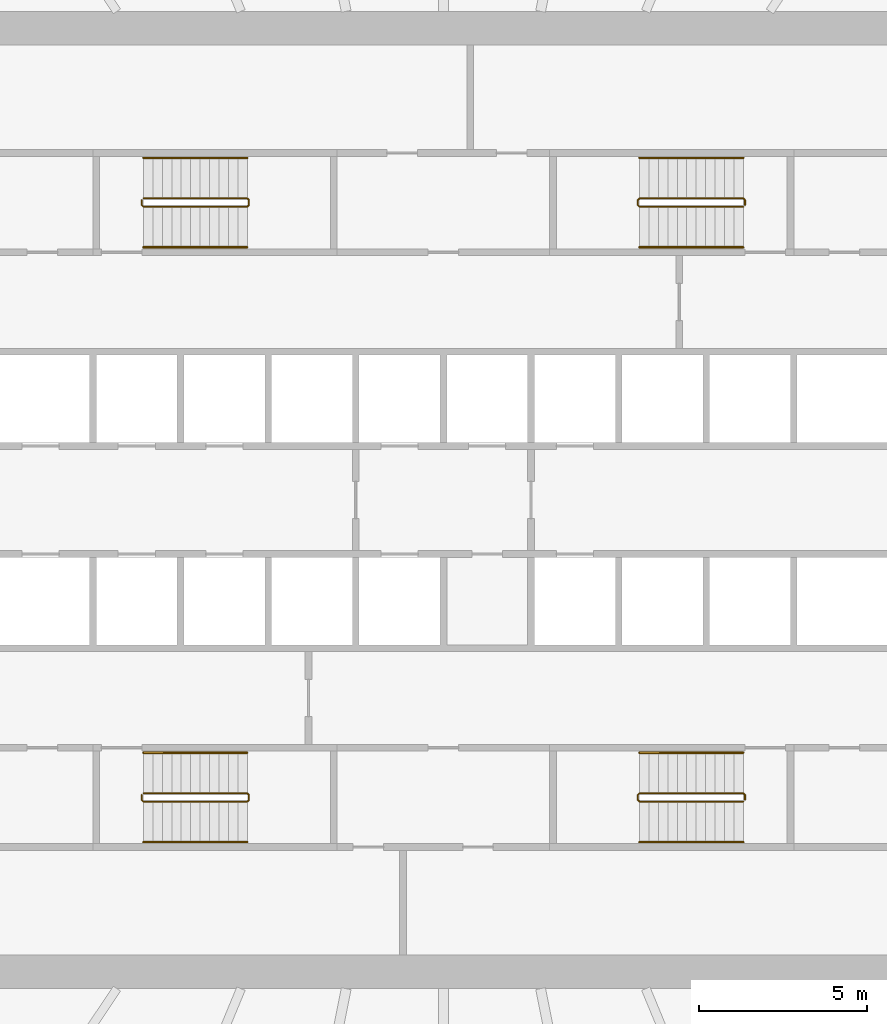
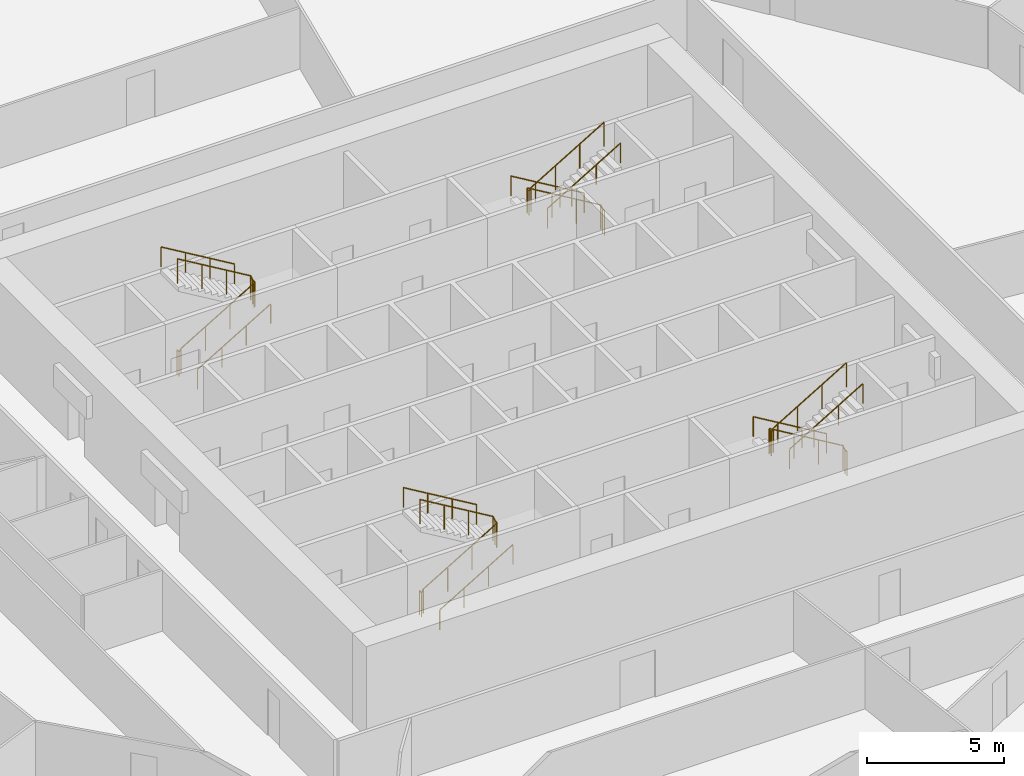
# One storey, part 9 of 9: 12 railings.
"""IFC4 building model written with IfcOpenShell, lengths in metres."""

from ifc_helpers import new_model, si_unit, direction, frame, origin, origin_2d, place, context, subcontext, project, spatial, circle, extrude, material, type_object, element, save


model = new_model("IFC4")

# Units and contexts
model_context = context("Model", 3, precision=1e-05, world=origin(), true_north=direction((0.0, 1.0)))
body_context = subcontext(model_context, "Body", "Model", "MODEL_VIEW")
ifc_project = project(units=[si_unit("LENGTHUNIT", "METRE"), si_unit("AREAUNIT", "SQUARE_METRE"), si_unit("VOLUMEUNIT", "CUBIC_METRE"), si_unit("PLANEANGLEUNIT", "RADIAN"), si_unit("MASSUNIT", "GRAM", prefix="KILO")], contexts=[model_context])

# Site, building, storey
site_placement = place(None, origin())
site = spatial("IfcSite", under=ifc_project, at=site_placement, CompositionType="ELEMENT")
building_placement = place(site_placement, origin())
building = spatial("IfcBuilding", under=site, at=building_placement, Name="Corvane Civic Tower", CompositionType="ELEMENT")
storey_placement = place(building_placement, frame((0.0, 0.0, 102.5)))
storey = spatial("IfcBuildingStorey", under=building, at=storey_placement, Name="L23", CompositionType="ELEMENT", Elevation=102.5)

# Railings
ifc_material_1 = material(Name="Steel ASTM A572 Gr 50", Category="steel")
railing_type_1 = type_object("IfcRailingType", Name="ST-GUARD-1100", PredefinedType="GUARDRAIL", material=ifc_material_1)
railing_1_placement = place(storey_placement, frame((8.949951171875, 8.75, 0.0)))
element("IfcRailing", 1, at=railing_1_placement, inside=storey, type_object=railing_type_1, Name="L23 ST1 stair guard 1", PredefinedType="GUARDRAIL", context=body_context, shape_type="SweptSolid", body=[
    extrude(circle(Radius=0.02392578125, at=origin_2d()), frame((0.0, 0.0, 1.076171875), z_axis=(0.0, 1.0, 0.0), x_axis=(-1.0, 0.0, 0.0)), (0.0, 0.0, 1.0), 0.14990234375),
    extrude(circle(Radius=0.02392578125, at=origin_2d()), frame((0.0, 0.14990234375, 1.076171875), z_axis=(-0.27628659633, 0.27628659633, 0.920506074601), x_axis=(-0.707106781187, -0.707106781187, 0.0)), (0.0, 0.0, 1.0), 0.18115234375),
    extrude(circle(Radius=0.02392578125, at=origin_2d()), frame((-0.050048828125, 0.199951171875, 1.24267578125), z_axis=(-0.859290745958, 0.0, 0.51148745235), x_axis=(0.0, -1.0, 0.0)), (0.0, 0.0, 1.0), 3.584228515625),
    extrude(circle(Radius=0.02392578125, at=origin_2d()), frame((-3.1298828125, 0.199951171875, 3.076171875), z_axis=(-0.707106781187, -0.707106781187, 0.0), x_axis=(0.707106781187, -0.707106781187, 0.0)), (0.0, 0.0, 1.0), 0.07080078125),
    extrude(circle(Radius=0.02392578125, at=origin_2d()), frame((-3.179931640625, 0.14990234375, 3.076171875), z_axis=(0.0, -1.0, 0.0), x_axis=(1.0, 0.0, 0.0)), (0.0, 0.0, 1.0), 0.14990234375),
    extrude(circle(Radius=0.02392578125, at=origin_2d()), frame((-3.179931640625, 0.0, 3.076171875), z_axis=(0.27628659633, -0.27628659633, 0.920506074601), x_axis=(0.707106781187, 0.707106781187, 0.0)), (0.0, 0.0, 1.0), 0.18115234375),
    extrude(circle(Radius=0.02392578125, at=origin_2d()), frame((-3.1298828125, -0.050048828125, 3.24267578125), z_axis=(0.859290745958, 0.0, 0.51148745235), x_axis=(0.0, 1.0, 0.0)), (0.0, 0.0, 1.0), 3.584228515625),
    extrude(circle(Radius=0.02099609375, at=origin_2d()), origin(), (0.0, 0.0, 1.0), 1.052001953125),
    extrude(circle(Radius=0.02099609375, at=origin_2d()), frame((0.0, 0.14990234375, 0.0)), (0.0, 0.0, 1.0), 1.052001953125),
    extrude(circle(Radius=0.02099609375, at=origin_2d()), frame((-0.050048828125, 0.199951171875, 0.166748046875)), (0.0, 0.0, 1.0), 1.052001953125),
    extrude(circle(Radius=0.02099609375, at=origin_2d()), frame((-1.07666015625, 0.199951171875, 0.77783203125)), (0.0, 0.0, 1.0), 1.052001953125),
    extrude(circle(Radius=0.02099609375, at=origin_2d()), frame((-2.103271484375, 0.199951171875, 1.388916015625)), (0.0, 0.0, 1.0), 1.052001953125),
    extrude(circle(Radius=0.02099609375, at=origin_2d()), frame((-3.1298828125, 0.199951171875, 2.0)), (0.0, 0.0, 1.0), 1.052001953125),
    extrude(circle(Radius=0.02099609375, at=origin_2d()), frame((-3.179931640625, 0.14990234375, 2.0)), (0.0, 0.0, 1.0), 1.052001953125),
    extrude(circle(Radius=0.02099609375, at=origin_2d()), frame((-3.179931640625, 0.0, 2.0)), (0.0, 0.0, 1.0), 1.052001953125),
    extrude(circle(Radius=0.02099609375, at=origin_2d()), frame((-3.1298828125, -0.050048828125, 2.166748046875)), (0.0, 0.0, 1.0), 1.052001953125),
    extrude(circle(Radius=0.02099609375, at=origin_2d()), frame((-2.103271484375, -0.050048828125, 2.77783203125)), (0.0, 0.0, 1.0), 1.052001953125),
    extrude(circle(Radius=0.02099609375, at=origin_2d()), frame((-1.07666015625, -0.050048828125, 3.388916015625)), (0.0, 0.0, 1.0), 1.052001953125),
    extrude(circle(Radius=0.02099609375, at=origin_2d()), frame((-0.050048828125, -0.050048828125, 4.0)), (0.0, 0.0, 1.0), 1.052001953125),
])
railing_2_placement = place(storey_placement, frame((8.949951171875, -8.89990234375, 0.0)))
element("IfcRailing", 2, at=railing_2_placement, inside=storey, type_object=railing_type_1, Name="L23 ST2 stair guard 1", PredefinedType="GUARDRAIL", context=body_context, shape_type="SweptSolid", body=[
    extrude(circle(Radius=0.02392578125, at=origin_2d()), frame((0.0, 0.0, 1.076171875), z_axis=(0.0, 1.0, 0.0), x_axis=(-1.0, 0.0, 0.0)), (0.0, 0.0, 1.0), 0.14990234375),
    extrude(circle(Radius=0.02392578125, at=origin_2d()), frame((0.0, 0.14990234375, 1.076171875), z_axis=(-0.27628659633, 0.27628659633, 0.920506074601), x_axis=(-0.707106781187, -0.707106781187, 0.0)), (0.0, 0.0, 1.0), 0.18115234375),
    extrude(circle(Radius=0.02392578125, at=origin_2d()), frame((-0.050048828125, 0.199951171875, 1.24267578125), z_axis=(-0.859290745958, 0.0, 0.51148745235), x_axis=(0.0, -1.0, 0.0)), (0.0, 0.0, 1.0), 3.584228515625),
    extrude(circle(Radius=0.02392578125, at=origin_2d()), frame((-3.1298828125, 0.199951171875, 3.076171875), z_axis=(-0.707106781187, -0.707106781187, 0.0), x_axis=(0.707106781187, -0.707106781187, 0.0)), (0.0, 0.0, 1.0), 0.07080078125),
    extrude(circle(Radius=0.02392578125, at=origin_2d()), frame((-3.179931640625, 0.14990234375, 3.076171875), z_axis=(0.0, -1.0, 0.0), x_axis=(1.0, 0.0, 0.0)), (0.0, 0.0, 1.0), 0.14990234375),
    extrude(circle(Radius=0.02392578125, at=origin_2d()), frame((-3.179931640625, 0.0, 3.076171875), z_axis=(0.27628659633, -0.27628659633, 0.920506074601), x_axis=(0.707106781187, 0.707106781187, 0.0)), (0.0, 0.0, 1.0), 0.18115234375),
    extrude(circle(Radius=0.02392578125, at=origin_2d()), frame((-3.1298828125, -0.050048828125, 3.24267578125), z_axis=(0.859290745958, 0.0, 0.51148745235), x_axis=(0.0, 1.0, 0.0)), (0.0, 0.0, 1.0), 3.584228515625),
    extrude(circle(Radius=0.02099609375, at=origin_2d()), origin(), (0.0, 0.0, 1.0), 1.052001953125),
    extrude(circle(Radius=0.02099609375, at=origin_2d()), frame((0.0, 0.14990234375, 0.0)), (0.0, 0.0, 1.0), 1.052001953125),
    extrude(circle(Radius=0.02099609375, at=origin_2d()), frame((-0.050048828125, 0.199951171875, 0.166748046875)), (0.0, 0.0, 1.0), 1.052001953125),
    extrude(circle(Radius=0.02099609375, at=origin_2d()), frame((-1.07666015625, 0.199951171875, 0.77783203125)), (0.0, 0.0, 1.0), 1.052001953125),
    extrude(circle(Radius=0.02099609375, at=origin_2d()), frame((-2.103271484375, 0.199951171875, 1.388916015625)), (0.0, 0.0, 1.0), 1.052001953125),
    extrude(circle(Radius=0.02099609375, at=origin_2d()), frame((-3.1298828125, 0.199951171875, 2.0)), (0.0, 0.0, 1.0), 1.052001953125),
    extrude(circle(Radius=0.02099609375, at=origin_2d()), frame((-3.179931640625, 0.14990234375, 2.0)), (0.0, 0.0, 1.0), 1.052001953125),
    extrude(circle(Radius=0.02099609375, at=origin_2d()), frame((-3.179931640625, 0.0, 2.0)), (0.0, 0.0, 1.0), 1.052001953125),
    extrude(circle(Radius=0.02099609375, at=origin_2d()), frame((-3.1298828125, -0.050048828125, 2.166748046875)), (0.0, 0.0, 1.0), 1.052001953125),
    extrude(circle(Radius=0.02099609375, at=origin_2d()), frame((-2.103271484375, -0.050048828125, 2.77783203125)), (0.0, 0.0, 1.0), 1.052001953125),
    extrude(circle(Radius=0.02099609375, at=origin_2d()), frame((-1.07666015625, -0.050048828125, 3.388916015625)), (0.0, 0.0, 1.0), 1.052001953125),
    extrude(circle(Radius=0.02099609375, at=origin_2d()), frame((-0.050048828125, -0.050048828125, 4.0)), (0.0, 0.0, 1.0), 1.052001953125),
])
railing_3_placement = place(storey_placement, frame((-8.949951171875, -8.75, 0.0)))
element("IfcRailing", 3, at=railing_3_placement, inside=storey, type_object=railing_type_1, Name="L23 ST3 stair guard 1", PredefinedType="GUARDRAIL", context=body_context, shape_type="SweptSolid", body=[
    extrude(circle(Radius=0.02392578125, at=origin_2d()), frame((0.0, 0.0, 1.076171875), z_axis=(0.0, -1.0, 0.0), x_axis=(1.0, 0.0, 0.0)), (0.0, 0.0, 1.0), 0.14990234375),
    extrude(circle(Radius=0.02392578125, at=origin_2d()), frame((0.0, -0.14990234375, 1.076171875), z_axis=(0.27628659633, -0.27628659633, 0.920506074601), x_axis=(0.707106781187, 0.707106781187, 0.0)), (0.0, 0.0, 1.0), 0.18115234375),
    extrude(circle(Radius=0.02392578125, at=origin_2d()), frame((0.050048828125, -0.199951171875, 1.24267578125), z_axis=(0.859290745958, 0.0, 0.51148745235), x_axis=(0.0, 1.0, 0.0)), (0.0, 0.0, 1.0), 3.584228515625),
    extrude(circle(Radius=0.02392578125, at=origin_2d()), frame((3.1298828125, -0.199951171875, 3.076171875), z_axis=(0.707106781187, 0.707106781187, 0.0), x_axis=(-0.707106781187, 0.707106781187, 0.0)), (0.0, 0.0, 1.0), 0.07080078125),
    extrude(circle(Radius=0.02392578125, at=origin_2d()), frame((3.179931640625, -0.14990234375, 3.076171875), z_axis=(0.0, 1.0, 0.0), x_axis=(-1.0, 0.0, 0.0)), (0.0, 0.0, 1.0), 0.14990234375),
    extrude(circle(Radius=0.02392578125, at=origin_2d()), frame((3.179931640625, 0.0, 3.076171875), z_axis=(-0.27628659633, 0.27628659633, 0.920506074601), x_axis=(-0.707106781187, -0.707106781187, 0.0)), (0.0, 0.0, 1.0), 0.18115234375),
    extrude(circle(Radius=0.02392578125, at=origin_2d()), frame((3.1298828125, 0.050048828125, 3.24267578125), z_axis=(-0.859290745958, 0.0, 0.51148745235), x_axis=(0.0, -1.0, 0.0)), (0.0, 0.0, 1.0), 3.584228515625),
    extrude(circle(Radius=0.02099609375, at=origin_2d()), origin(), (0.0, 0.0, 1.0), 1.052001953125),
    extrude(circle(Radius=0.02099609375, at=origin_2d()), frame((0.0, -0.14990234375, 0.0)), (0.0, 0.0, 1.0), 1.052001953125),
    extrude(circle(Radius=0.02099609375, at=origin_2d()), frame((0.050048828125, -0.199951171875, 0.166748046875)), (0.0, 0.0, 1.0), 1.052001953125),
    extrude(circle(Radius=0.02099609375, at=origin_2d()), frame((1.07666015625, -0.199951171875, 0.77783203125)), (0.0, 0.0, 1.0), 1.052001953125),
    extrude(circle(Radius=0.02099609375, at=origin_2d()), frame((2.103271484375, -0.199951171875, 1.388916015625)), (0.0, 0.0, 1.0), 1.052001953125),
    extrude(circle(Radius=0.02099609375, at=origin_2d()), frame((3.1298828125, -0.199951171875, 2.0)), (0.0, 0.0, 1.0), 1.052001953125),
    extrude(circle(Radius=0.02099609375, at=origin_2d()), frame((3.179931640625, -0.14990234375, 2.0)), (0.0, 0.0, 1.0), 1.052001953125),
    extrude(circle(Radius=0.02099609375, at=origin_2d()), frame((3.179931640625, 0.0, 2.0)), (0.0, 0.0, 1.0), 1.052001953125),
    extrude(circle(Radius=0.02099609375, at=origin_2d()), frame((3.1298828125, 0.050048828125, 2.166748046875)), (0.0, 0.0, 1.0), 1.052001953125),
    extrude(circle(Radius=0.02099609375, at=origin_2d()), frame((2.103271484375, 0.050048828125, 2.77783203125)), (0.0, 0.0, 1.0), 1.052001953125),
    extrude(circle(Radius=0.02099609375, at=origin_2d()), frame((1.07666015625, 0.050048828125, 3.388916015625)), (0.0, 0.0, 1.0), 1.052001953125),
    extrude(circle(Radius=0.02099609375, at=origin_2d()), frame((0.050048828125, 0.050048828125, 4.0)), (0.0, 0.0, 1.0), 1.052001953125),
])
railing_4_placement = place(storey_placement, frame((-8.949951171875, 8.89990234375, 0.0)))
element("IfcRailing", 4, at=railing_4_placement, inside=storey, type_object=railing_type_1, Name="L23 ST4 stair guard 1", PredefinedType="GUARDRAIL", context=body_context, shape_type="SweptSolid", body=[
    extrude(circle(Radius=0.02392578125, at=origin_2d()), frame((0.0, 0.0, 1.076171875), z_axis=(0.0, -1.0, 0.0), x_axis=(1.0, 0.0, 0.0)), (0.0, 0.0, 1.0), 0.14990234375),
    extrude(circle(Radius=0.02392578125, at=origin_2d()), frame((0.0, -0.14990234375, 1.076171875), z_axis=(0.27628659633, -0.27628659633, 0.920506074601), x_axis=(0.707106781187, 0.707106781187, 0.0)), (0.0, 0.0, 1.0), 0.18115234375),
    extrude(circle(Radius=0.02392578125, at=origin_2d()), frame((0.050048828125, -0.199951171875, 1.24267578125), z_axis=(0.859290745958, 0.0, 0.51148745235), x_axis=(0.0, 1.0, 0.0)), (0.0, 0.0, 1.0), 3.584228515625),
    extrude(circle(Radius=0.02392578125, at=origin_2d()), frame((3.1298828125, -0.199951171875, 3.076171875), z_axis=(0.707106781187, 0.707106781187, 0.0), x_axis=(-0.707106781187, 0.707106781187, 0.0)), (0.0, 0.0, 1.0), 0.07080078125),
    extrude(circle(Radius=0.02392578125, at=origin_2d()), frame((3.179931640625, -0.14990234375, 3.076171875), z_axis=(0.0, 1.0, 0.0), x_axis=(-1.0, 0.0, 0.0)), (0.0, 0.0, 1.0), 0.14990234375),
    extrude(circle(Radius=0.02392578125, at=origin_2d()), frame((3.179931640625, 0.0, 3.076171875), z_axis=(-0.27628659633, 0.27628659633, 0.920506074601), x_axis=(-0.707106781187, -0.707106781187, 0.0)), (0.0, 0.0, 1.0), 0.18115234375),
    extrude(circle(Radius=0.02392578125, at=origin_2d()), frame((3.1298828125, 0.050048828125, 3.24267578125), z_axis=(-0.859290745958, 0.0, 0.51148745235), x_axis=(0.0, -1.0, 0.0)), (0.0, 0.0, 1.0), 3.584228515625),
    extrude(circle(Radius=0.02099609375, at=origin_2d()), origin(), (0.0, 0.0, 1.0), 1.052001953125),
    extrude(circle(Radius=0.02099609375, at=origin_2d()), frame((0.0, -0.14990234375, 0.0)), (0.0, 0.0, 1.0), 1.052001953125),
    extrude(circle(Radius=0.02099609375, at=origin_2d()), frame((0.050048828125, -0.199951171875, 0.166748046875)), (0.0, 0.0, 1.0), 1.052001953125),
    extrude(circle(Radius=0.02099609375, at=origin_2d()), frame((1.07666015625, -0.199951171875, 0.77783203125)), (0.0, 0.0, 1.0), 1.052001953125),
    extrude(circle(Radius=0.02099609375, at=origin_2d()), frame((2.103271484375, -0.199951171875, 1.388916015625)), (0.0, 0.0, 1.0), 1.052001953125),
    extrude(circle(Radius=0.02099609375, at=origin_2d()), frame((3.1298828125, -0.199951171875, 2.0)), (0.0, 0.0, 1.0), 1.052001953125),
    extrude(circle(Radius=0.02099609375, at=origin_2d()), frame((3.179931640625, -0.14990234375, 2.0)), (0.0, 0.0, 1.0), 1.052001953125),
    extrude(circle(Radius=0.02099609375, at=origin_2d()), frame((3.179931640625, 0.0, 2.0)), (0.0, 0.0, 1.0), 1.052001953125),
    extrude(circle(Radius=0.02099609375, at=origin_2d()), frame((3.1298828125, 0.050048828125, 2.166748046875)), (0.0, 0.0, 1.0), 1.052001953125),
    extrude(circle(Radius=0.02099609375, at=origin_2d()), frame((2.103271484375, 0.050048828125, 2.77783203125)), (0.0, 0.0, 1.0), 1.052001953125),
    extrude(circle(Radius=0.02099609375, at=origin_2d()), frame((1.07666015625, 0.050048828125, 3.388916015625)), (0.0, 0.0, 1.0), 1.052001953125),
    extrude(circle(Radius=0.02099609375, at=origin_2d()), frame((0.050048828125, 0.050048828125, 4.0)), (0.0, 0.0, 1.0), 1.052001953125),
])
ifc_material_2 = material(Name="Steel ASTM A572 Gr 50", Category="steel")
railing_type_2 = type_object("IfcRailingType", Name="ST-HANDRAIL-900", PredefinedType="HANDRAIL", material=ifc_material_2)
railing_5_placement = place(storey_placement, frame((8.89990234375, 10.14990234375, 0.166748046875)))
element("IfcRailing", 5, at=railing_5_placement, inside=storey, type_object=railing_type_2, Name="L23 ST1 stair handrail 1", PredefinedType="HANDRAIL", context=body_context, shape_type="SweptSolid", body=[
    extrude(circle(Radius=0.02392578125, at=origin_2d()), frame((0.0, 0.0, 0.8759765625), z_axis=(-0.859290745958, 0.0, 0.51148745235), x_axis=(0.0, -1.0, 0.0)), (0.0, 0.0, 1.0), 3.584228515625),
    extrude(circle(Radius=0.02099609375, at=origin_2d()), origin(), (0.0, 0.0, 1.0), 0.851806640625),
    extrude(circle(Radius=0.02099609375, at=origin_2d()), frame((-1.026611328125, 0.0, 0.611083984375)), (0.0, 0.0, 1.0), 0.851806640625),
    extrude(circle(Radius=0.02099609375, at=origin_2d()), frame((-2.05322265625, 0.0, 1.22216796875)), (0.0, 0.0, 1.0), 0.851806640625),
    extrude(circle(Radius=0.02099609375, at=origin_2d()), frame((-3.079833984375, 0.0, 1.833251953125)), (0.0, 0.0, 1.0), 0.851806640625),
])
railing_6_placement = place(storey_placement, frame((5.820068359375, 7.5, 2.166748046875)))
element("IfcRailing", 6, at=railing_6_placement, inside=storey, type_object=railing_type_2, Name="L23 ST1 stair handrail 2", PredefinedType="HANDRAIL", context=body_context, shape_type="SweptSolid", body=[
    extrude(circle(Radius=0.02392578125, at=origin_2d()), frame((0.0, 0.0, 0.8759765625), z_axis=(0.859290745958, 0.0, 0.51148745235), x_axis=(0.0, 1.0, 0.0)), (0.0, 0.0, 1.0), 3.584228515625),
    extrude(circle(Radius=0.02099609375, at=origin_2d()), origin(), (0.0, 0.0, 1.0), 0.851806640625),
    extrude(circle(Radius=0.02099609375, at=origin_2d()), frame((1.026611328125, 0.0, 0.611083984375)), (0.0, 0.0, 1.0), 0.851806640625),
    extrude(circle(Radius=0.02099609375, at=origin_2d()), frame((2.05322265625, 0.0, 1.22216796875)), (0.0, 0.0, 1.0), 0.851806640625),
    extrude(circle(Radius=0.02099609375, at=origin_2d()), frame((3.079833984375, 0.0, 1.833251953125)), (0.0, 0.0, 1.0), 0.851806640625),
])
railing_7_placement = place(storey_placement, frame((8.89990234375, -7.5, 0.166748046875)))
element("IfcRailing", 7, at=railing_7_placement, inside=storey, type_object=railing_type_2, Name="L23 ST2 stair handrail 1", PredefinedType="HANDRAIL", context=body_context, shape_type="SweptSolid", body=[
    extrude(circle(Radius=0.02392578125, at=origin_2d()), frame((0.0, 0.0, 0.8759765625), z_axis=(-0.859290745958, 0.0, 0.51148745235), x_axis=(0.0, -1.0, 0.0)), (0.0, 0.0, 1.0), 3.584228515625),
    extrude(circle(Radius=0.02099609375, at=origin_2d()), origin(), (0.0, 0.0, 1.0), 0.851806640625),
    extrude(circle(Radius=0.02099609375, at=origin_2d()), frame((-1.026611328125, 0.0, 0.611083984375)), (0.0, 0.0, 1.0), 0.851806640625),
    extrude(circle(Radius=0.02099609375, at=origin_2d()), frame((-2.05322265625, 0.0, 1.22216796875)), (0.0, 0.0, 1.0), 0.851806640625),
    extrude(circle(Radius=0.02099609375, at=origin_2d()), frame((-3.079833984375, 0.0, 1.833251953125)), (0.0, 0.0, 1.0), 0.851806640625),
])
for number, where, name in (
    (8, (5.820068359375, -10.14990234375, 2.166748046875), "L23 ST2 stair handrail 2"),
    (9, (-8.89990234375, -10.14990234375, 0.166748046875), "L23 ST3 stair handrail 1"),
):
    element("IfcRailing", number, at=place(storey_placement, frame(where)), inside=storey, type_object=railing_type_2, Name=name, PredefinedType="HANDRAIL", context=body_context, shape_type="SweptSolid", body=[
        extrude(circle(Radius=0.02392578125, at=origin_2d()), frame((0.0, 0.0, 0.8759765625), z_axis=(0.859290745958, 0.0, 0.51148745235), x_axis=(0.0, 1.0, 0.0)), (0.0, 0.0, 1.0), 3.584228515625),
        extrude(circle(Radius=0.02099609375, at=origin_2d()), origin(), (0.0, 0.0, 1.0), 0.851806640625),
        extrude(circle(Radius=0.02099609375, at=origin_2d()), frame((1.026611328125, 0.0, 0.611083984375)), (0.0, 0.0, 1.0), 0.851806640625),
        extrude(circle(Radius=0.02099609375, at=origin_2d()), frame((2.05322265625, 0.0, 1.22216796875)), (0.0, 0.0, 1.0), 0.851806640625),
        extrude(circle(Radius=0.02099609375, at=origin_2d()), frame((3.079833984375, 0.0, 1.833251953125)), (0.0, 0.0, 1.0), 0.851806640625),
    ])
railing_8_placement = place(storey_placement, frame((-5.820068359375, -7.5, 2.166748046875)))
element("IfcRailing", 10, at=railing_8_placement, inside=storey, type_object=railing_type_2, Name="L23 ST3 stair handrail 2", PredefinedType="HANDRAIL", context=body_context, shape_type="SweptSolid", body=[
    extrude(circle(Radius=0.02392578125, at=origin_2d()), frame((0.0, 0.0, 0.8759765625), z_axis=(-0.859290745958, 0.0, 0.51148745235), x_axis=(0.0, -1.0, 0.0)), (0.0, 0.0, 1.0), 3.584228515625),
    extrude(circle(Radius=0.02099609375, at=origin_2d()), origin(), (0.0, 0.0, 1.0), 0.851806640625),
    extrude(circle(Radius=0.02099609375, at=origin_2d()), frame((-1.026611328125, 0.0, 0.611083984375)), (0.0, 0.0, 1.0), 0.851806640625),
    extrude(circle(Radius=0.02099609375, at=origin_2d()), frame((-2.05322265625, 0.0, 1.22216796875)), (0.0, 0.0, 1.0), 0.851806640625),
    extrude(circle(Radius=0.02099609375, at=origin_2d()), frame((-3.079833984375, 0.0, 1.833251953125)), (0.0, 0.0, 1.0), 0.851806640625),
])
railing_9_placement = place(storey_placement, frame((-8.89990234375, 7.5, 0.166748046875)))
element("IfcRailing", 11, at=railing_9_placement, inside=storey, type_object=railing_type_2, Name="L23 ST4 stair handrail 1", PredefinedType="HANDRAIL", context=body_context, shape_type="SweptSolid", body=[
    extrude(circle(Radius=0.02392578125, at=origin_2d()), frame((0.0, 0.0, 0.8759765625), z_axis=(0.859290745958, 0.0, 0.51148745235), x_axis=(0.0, 1.0, 0.0)), (0.0, 0.0, 1.0), 3.584228515625),
    extrude(circle(Radius=0.02099609375, at=origin_2d()), origin(), (0.0, 0.0, 1.0), 0.851806640625),
    extrude(circle(Radius=0.02099609375, at=origin_2d()), frame((1.026611328125, 0.0, 0.611083984375)), (0.0, 0.0, 1.0), 0.851806640625),
    extrude(circle(Radius=0.02099609375, at=origin_2d()), frame((2.05322265625, 0.0, 1.22216796875)), (0.0, 0.0, 1.0), 0.851806640625),
    extrude(circle(Radius=0.02099609375, at=origin_2d()), frame((3.079833984375, 0.0, 1.833251953125)), (0.0, 0.0, 1.0), 0.851806640625),
])
railing_10_placement = place(storey_placement, frame((-5.820068359375, 10.14990234375, 2.166748046875)))
element("IfcRailing", 12, at=railing_10_placement, inside=storey, type_object=railing_type_2, Name="L23 ST4 stair handrail 2", PredefinedType="HANDRAIL", context=body_context, shape_type="SweptSolid", body=[
    extrude(circle(Radius=0.02392578125, at=origin_2d()), frame((0.0, 0.0, 0.8759765625), z_axis=(-0.859290745958, 0.0, 0.51148745235), x_axis=(0.0, -1.0, 0.0)), (0.0, 0.0, 1.0), 3.584228515625),
    extrude(circle(Radius=0.02099609375, at=origin_2d()), origin(), (0.0, 0.0, 1.0), 0.851806640625),
    extrude(circle(Radius=0.02099609375, at=origin_2d()), frame((-1.026611328125, 0.0, 0.611083984375)), (0.0, 0.0, 1.0), 0.851806640625),
    extrude(circle(Radius=0.02099609375, at=origin_2d()), frame((-2.05322265625, 0.0, 1.22216796875)), (0.0, 0.0, 1.0), 0.851806640625),
    extrude(circle(Radius=0.02099609375, at=origin_2d()), frame((-3.079833984375, 0.0, 1.833251953125)), (0.0, 0.0, 1.0), 0.851806640625),
])

save(model, "model.ifc")
